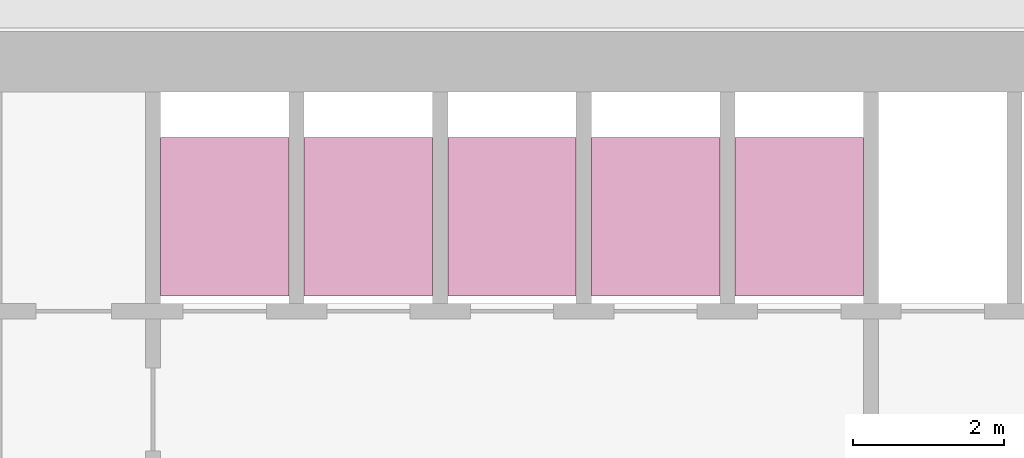
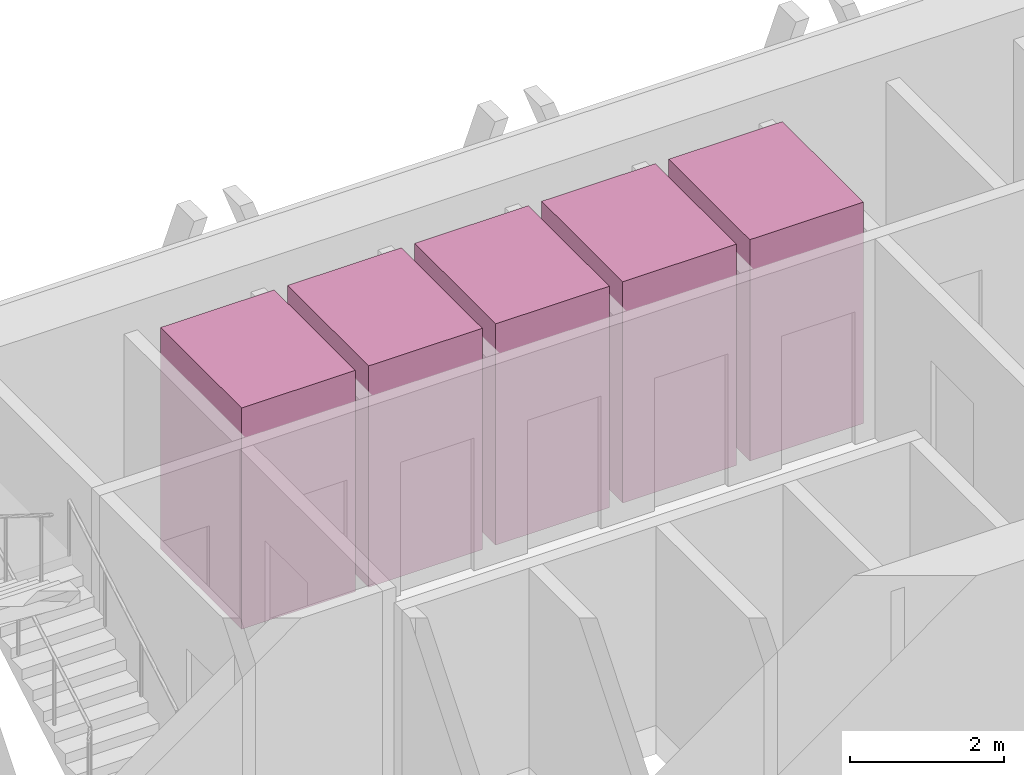
# One storey, part 16 of 16: 5 transport elements.
"""IFC4 building model written with IfcOpenShell, lengths in metres."""

import ifcopenshell
import ifcopenshell.guid

model = None  # the IFC model being written
_history = None  # IfcOwnerHistory: only IFC2X3 demands one
_inside = {}  # id of a spatial element -> (the spatial element, [elements in it])
_under = {}  # id of a project, library or spatial element -> (it, [spatial elements below it])
_declared = {}  # id of a project -> (the project, [libraries it declares])
_typed = {}  # id of a type object -> (the type object, [elements of that type])
_made_of = {}  # id of a material, layer set ... -> (it, [elements and type objects made of it])


def new_model(schema):
    """Start an empty IFC model of exactly this schema.

    Asked for "IFC4X3", IfcOpenShell would pick the latest addendum, in which some entities
    have other attributes; the version numbers below select the first issue.
    IFC2X3 requires an IfcOwnerHistory on every rooted entity: one is made here for all.
    """
    global model, _history
    if schema == "IFC4X3":
        model = ifcopenshell.file(schema_version=(4, 3, 0, 0))
    else:
        model = ifcopenshell.file(schema=schema)
    _inside.clear()
    _under.clear()
    _declared.clear()
    _typed.clear()
    _made_of.clear()
    _history = None
    if model.schema == "IFC2X3":
        org = make("IfcOrganization", Name="unknown")
        user = make(
            "IfcPersonAndOrganization",
            ThePerson=make("IfcPerson", FamilyName="unknown"),
            TheOrganization=org,
        )
        app = make(
            "IfcApplication",
            ApplicationDeveloper=org,
            Version="unknown",
            ApplicationFullName="unknown",
            ApplicationIdentifier="unknown",
        )
        _history = make(
            "IfcOwnerHistory",
            OwningUser=user,
            OwningApplication=app,
            ChangeAction="ADDED",
            CreationDate=0,
        )
    return model


def make(cls, **values):
    """One entity of the class cls with the attributes given. An attribute that is None is left unset."""
    return model.create_entity(
        cls, **{name: value for name, value in values.items() if value is not None}
    )


def rooted(cls, **values):
    """An entity with a GlobalId (a new one), such as an element, a storey or a relation."""
    return make(cls, GlobalId=ifcopenshell.guid.new(), OwnerHistory=_history, **values)


def si_unit(unit_type, name, prefix=None):
    """IfcSIUnit, for example si_unit("LENGTHUNIT", "METRE", prefix="MILLI")."""
    return make("IfcSIUnit", UnitType=unit_type, Prefix=prefix, Name=name)


def assignment(units):
    """IfcUnitAssignment: the units of a project."""
    return None if units is None else make("IfcUnitAssignment", Units=units)


def point(xyz):
    """IfcCartesianPoint."""
    return None if xyz is None else make("IfcCartesianPoint", Coordinates=xyz)


def direction(xyz):
    """IfcDirection."""
    return None if xyz is None else make("IfcDirection", DirectionRatios=xyz)


def frame(location, z_axis=None, x_axis=None):
    """IfcAxis2Placement3D, a coordinate frame: its origin and axes. An axis left out is left unset."""
    return make(
        "IfcAxis2Placement3D",
        Location=point(location),
        Axis=direction(z_axis),
        RefDirection=direction(x_axis),
    )


def frame_2d(location, x_axis=None):
    """IfcAxis2Placement2D, a coordinate frame in the plane: its origin and x axis."""
    return make(
        "IfcAxis2Placement2D", Location=point(location), RefDirection=direction(x_axis)
    )


def origin():
    """The frame at (0, 0, 0) with its axes left unset."""
    return frame((0.0, 0.0, 0.0))


def origin_2d():
    """The frame at (0, 0) in the plane with its x axis left unset."""
    return frame_2d((0.0, 0.0))


def place(relative_to, where):
    """IfcLocalPlacement: puts the frame where relative to a parent placement (None: the world)."""
    return make(
        "IfcLocalPlacement", PlacementRelTo=relative_to, RelativePlacement=where
    )


def context(
    kind, dimensions, precision=None, world=None, true_north=None, identifier=None
):
    """IfcGeometricRepresentationContext, for example the 3D "Model" context."""
    return make(
        "IfcGeometricRepresentationContext",
        ContextIdentifier=identifier,
        ContextType=kind,
        CoordinateSpaceDimension=dimensions,
        Precision=precision,
        WorldCoordinateSystem=world,
        TrueNorth=true_north,
    )


def subcontext(parent, identifier, kind, view, scale=None):
    """IfcGeometricRepresentationSubContext, for example "Body" below "Model"."""
    return make(
        "IfcGeometricRepresentationSubContext",
        ContextIdentifier=identifier,
        ContextType=kind,
        ParentContext=parent,
        TargetScale=scale,
        TargetView=view,
    )


def project(units=None, contexts=None):
    """IfcProject with its units and contexts."""
    return rooted(
        "IfcProject",
        Name="project",
        RepresentationContexts=contexts,
        UnitsInContext=assignment(units),
    )


def spatial(cls, under=None, at=None, **own):
    """A site, building, storey or space (cls), placed at a placement, below another one or the project."""
    s = rooted(cls, ObjectPlacement=at, **own)
    if under is not None:
        _under.setdefault(under.id(), (under, []))[1].append(s)
    return s


def profile(cls, at=None, kind="AREA", **sizes):
    """A parametric profile (cls). Its sizes go by their IFC names, for example OverallWidth=200.0."""
    return make(cls, ProfileType=kind, Position=at, **sizes)


def rectangle(**sizes):
    """IfcRectangleProfileDef."""
    return profile("IfcRectangleProfileDef", **sizes)


def extrude(swept, where, along, depth):
    """IfcExtrudedAreaSolid: the profile swept, set in the frame where, extruded along a direction by depth."""
    return make(
        "IfcExtrudedAreaSolid",
        SweptArea=swept,
        Position=where,
        ExtrudedDirection=direction(along),
        Depth=depth,
    )


def shape(context_of_items, identifier, shape_type, items):
    """IfcShapeRepresentation: the items that make up one representation, for example the "Body"."""
    return make(
        "IfcShapeRepresentation",
        ContextOfItems=context_of_items,
        RepresentationIdentifier=identifier,
        RepresentationType=shape_type,
        Items=items,
    )


def material(Name=None, Category=None):
    """IfcMaterial."""
    return make("IfcMaterial", Name=Name, Category=Category)


def made_of(thing, what):
    """Note that an element or type object is made of a material, layer set ...; save() writes the relation."""
    if what is not None:
        _made_of.setdefault(what.id(), (what, []))[1].append(thing)
    return thing


def type_object(cls, material=None, **own):
    """A type object (cls), such as IfcWallType, which elements share."""
    return made_of(rooted(cls, **own), material)


def element(
    cls,
    number,
    at=None,
    inside=None,
    cuts=None,
    type_object=None,
    material=None,
    context=None,
    identifier="Body",
    shape_type=None,
    held_by="IfcProductDefinitionShape",
    body=None,
    shapes=None,
    **own,
):
    """One element of the class cls, such as IfcWall. Its Tag is "e" and its number.

    at: its placement. inside: the storey or other place that contains it. cuts: it is an
    opening in that element (IfcRelVoidsElement). A single representation is given by context,
    identifier, shape_type and body (its items); several are given by shapes. held_by: the class
    of the entity that holds the representations. save() writes the other relations.
    """
    e = rooted(cls, Tag="e%d" % number, ObjectPlacement=at, **own)
    if body is not None:
        shapes = [shape(context, identifier, shape_type, body)]
    if shapes is not None:
        e.Representation = make(held_by, Representations=shapes)
    if inside is not None:
        _inside.setdefault(inside.id(), (inside, []))[1].append(e)
    if cuts is not None:
        rooted(
            "IfcRelVoidsElement", RelatingBuildingElement=cuts, RelatedOpeningElement=e
        )
    if type_object is not None:
        _typed.setdefault(type_object.id(), (type_object, []))[1].append(e)
    return made_of(e, material)


def aggregate(whole, parts):
    """IfcRelAggregates: a whole, such as a stair, and the parts it consists of."""
    return rooted("IfcRelAggregates", RelatingObject=whole, RelatedObjects=parts)


def save(model, path):
    """Write the relations noted so far, then the file.

    IfcRelAggregates (storeys below a building ...), IfcRelContainedInSpatialStructure (elements
    in a storey), IfcRelDefinesByType, IfcRelAssociatesMaterial and IfcRelDeclares: one each for
    every whole, place, type object, material and project.
    """
    for whole, parts in _under.values():
        aggregate(whole, parts)
    for where, things in _inside.values():
        rooted(
            "IfcRelContainedInSpatialStructure",
            RelatedElements=things,
            RelatingStructure=where,
        )
    for kind, things in _typed.values():
        rooted("IfcRelDefinesByType", RelatedObjects=things, RelatingType=kind)
    for what, things in _made_of.values():
        rooted("IfcRelAssociatesMaterial", RelatedObjects=things, RelatingMaterial=what)
    for by, libraries in _declared.values():
        rooted("IfcRelDeclares", RelatingContext=by, RelatedDefinitions=libraries)
    model.write(path)


model = new_model("IFC4")

# Units and contexts
model_context = context("Model", 3, precision=1e-05, world=origin(), true_north=direction((0.0, 1.0)))
body_context = subcontext(model_context, "Body", "Model", "MODEL_VIEW")
ifc_project = project(units=[si_unit("LENGTHUNIT", "METRE"), si_unit("AREAUNIT", "SQUARE_METRE"), si_unit("VOLUMEUNIT", "CUBIC_METRE"), si_unit("PLANEANGLEUNIT", "RADIAN"), si_unit("MASSUNIT", "GRAM", prefix="KILO")], contexts=[model_context])

# Site, building, storey
site_placement = place(None, origin())
site = spatial("IfcSite", under=ifc_project, at=site_placement, CompositionType="ELEMENT")
building_placement = place(site_placement, origin())
building = spatial("IfcBuilding", under=site, at=building_placement, Name="Altiplano Prism Tower", CompositionType="ELEMENT")
storey_placement = place(building_placement, frame((0.0, 0.0, 124.199951171875)))
storey = spatial("IfcBuildingStorey", under=building, at=storey_placement, Name="L31", CompositionType="ELEMENT", Elevation=124.199951171875)

# Transport elements
ifc_material = material(Name="Stainless steel lift car", Category="steel")
transport_element_type = type_object("IfcTransportElementType", Name="Passenger lift car 1600 x 2100", PredefinedType="ELEVATOR", material=ifc_material)
for number, where, z_axis, x_axis, name in (
    (1, (79.050048828125, 101.75, 0.050048828125), (0.0, 0.0, 1.0), (1.0, 0.0, 0.0), "Mid Zone Passenger Lift 1"),
    (2, (80.949951171875, 101.75, 0.050048828125), (0.0, 0.0, 1.0), (1.0, 0.0, 0.0), "Mid Zone Passenger Lift 2"),
    (3, (82.85009765625, 101.75, 0.050048828125), (0.0, 0.0, 1.0), (1.0, 0.0, 0.0), "Mid Zone Passenger Lift 3"),
    (4, (84.75, 101.75, 0.050048828125), (0.0, 0.0, 1.0), (1.0, 0.0, 0.0), "Mid Zone Passenger Lift 4"),
    (5, (86.64990234375, 101.75, 0.050048828125), (0.0, 0.0, 1.0), (1.0, 0.0, 0.0), "Mid Zone Passenger Lift 5"),
):
    element("IfcTransportElement", number, at=place(storey_placement, frame(where, z_axis=z_axis, x_axis=x_axis)), inside=storey, type_object=transport_element_type, Name=name, PredefinedType="ELEVATOR", context=body_context, shape_type="SweptSolid", body=[
        extrude(rectangle(XDim=1.699951171875, YDim=2.10009765625, at=origin_2d()), origin(), (0.0, 0.0, 1.0), 3.5),
    ])

save(model, "model.ifc")
